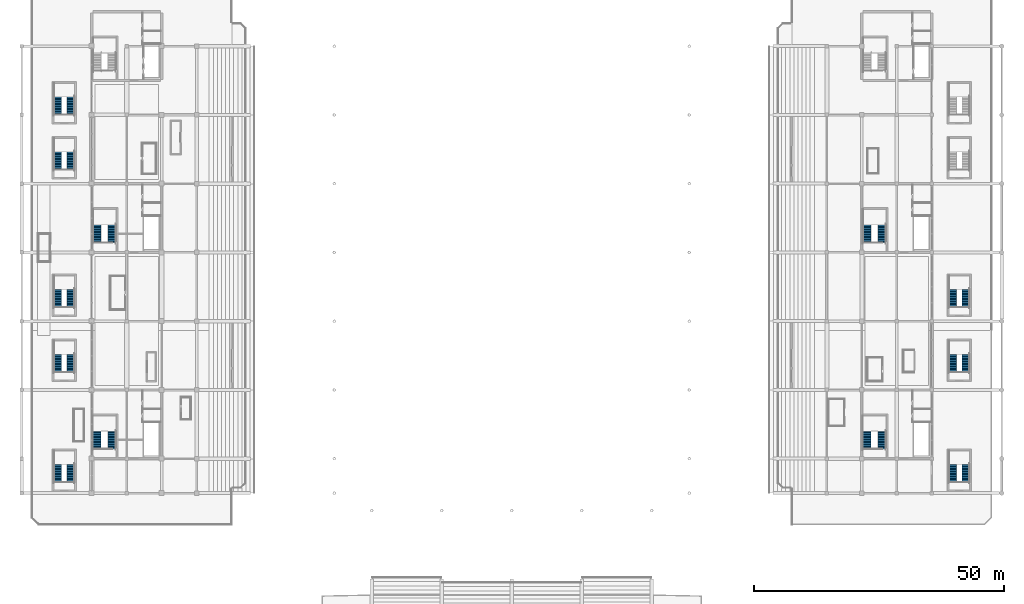
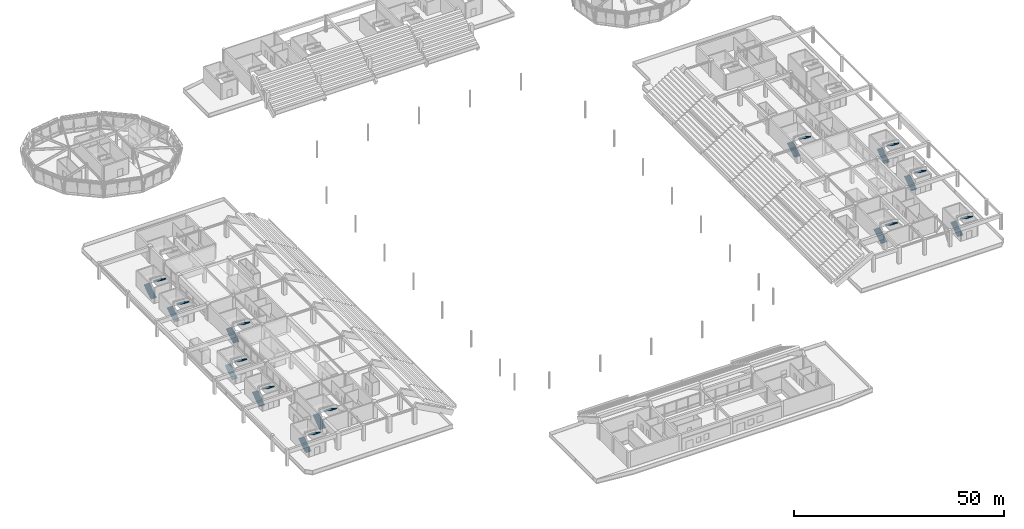
# One storey, part 78 of 94: 24 stair flights, 12 elements without a shape of their own.
"""IFC4 building model written with IfcOpenShell, lengths in metres."""

from ifc_helpers import new_model, si_unit, direction, frame, origin, place, context, subcontext, project, spatial, polyline, outline, extrude, material, type_object, element, aggregate, save


model = new_model("IFC4")

# Units and contexts
model_context = context("Model", 3, precision=1e-05, world=origin(), true_north=direction((0.0, 1.0)))
body_context = subcontext(model_context, "Body", "Model", "MODEL_VIEW")
ifc_project = project(units=[si_unit("LENGTHUNIT", "METRE"), si_unit("AREAUNIT", "SQUARE_METRE"), si_unit("VOLUMEUNIT", "CUBIC_METRE"), si_unit("PLANEANGLEUNIT", "RADIAN"), si_unit("MASSUNIT", "GRAM", prefix="KILO")], contexts=[model_context])

# Site, building, storey
site_placement = place(None, origin())
site = spatial("IfcSite", under=ifc_project, at=site_placement, CompositionType="ELEMENT")
building_placement = place(site_placement, origin())
building = spatial("IfcBuilding", under=site, at=building_placement, Name="Linyun Crest Stadium", CompositionType="ELEMENT")
storey_placement = place(building_placement, frame((0.0, 0.0, 16.199951171875)))
storey = spatial("IfcBuildingStorey", under=building, at=storey_placement, Name="L04", CompositionType="ELEMENT", Elevation=16.199951171875)

# Stair, stair flights
ifc_material_1 = material(Name="Concrete C40", Category="concrete")
stair_type = type_object("IfcStairType", Name="STA03", PredefinedType="HALF_TURN_STAIR", material=ifc_material_1)
stair_1_placement = place(storey_placement, origin())
stair_1 = element("IfcStair", 1, at=stair_1_placement, inside=storey, type_object=stair_type, Name="Evacuation stair STR-01-L04", PredefinedType="HALF_TURN_STAIR")
ifc_material_2 = material(Name="Concrete C40", Category="concrete")
stair_flight_type_1 = type_object("IfcStairFlightType", Name="STF01", PredefinedType="STRAIGHT", material=ifc_material_2)
stair_flight_1_placement = place(storey_placement, frame((-82.9599609375, -37.135009765625, 0.0), z_axis=(0.0, 0.0, 1.0), x_axis=(0.0, 1.0, 0.0)))
stair_flight_1 = element("IfcStairFlight", 2, at=stair_flight_1_placement, type_object=stair_flight_type_1, Name="STR-01-L04 flight 1", NumberOfRisers=15, NumberOfTreads=14, PredefinedType="STRAIGHT", RiserHeight=0.16, TreadLength=0.25, context=body_context, shape_type="SweptSolid", body=[
    extrude(outline(polyline([(0.0, 0.0), (0.0, 0.159912109375), (0.25, 0.159912109375), (0.25, 0.320068359375), (0.5, 0.320068359375), (0.5, 0.47998046875), (0.75, 0.47998046875), (0.75, 0.639892578125), (1.0, 0.639892578125), (1.0, 0.800048828125), (1.25, 0.800048828125), (1.25, 0.9599609375), (1.5, 0.9599609375), (1.5, 1.1201171875), (1.75, 1.1201171875), (1.75, 1.280029296875), (2.0, 1.280029296875), (2.0, 1.43994140625), (2.25, 1.43994140625), (2.25, 1.60009765625), (2.5, 1.60009765625), (2.5, 1.760009765625), (2.75, 1.760009765625), (2.75, 1.919921875), (3.0, 1.919921875), (3.0, 2.080078125), (3.25, 2.080078125), (3.25, 2.239990234375), (3.5, 2.239990234375), (3.5, 2.39990234375), (3.5, 2.0263671875), (0.333740234375, 0.0), (0.0, 0.0)])), frame((0.0, 0.824951171875, 0.0), z_axis=(0.0, -1.0, 0.0), x_axis=(1.0, 0.0, 0.0)), (0.0, 0.0, 1.0), 1.64990234375),
])
stair_flight_2_placement = place(storey_placement, frame((-79.965087890625, -33.635009765625, 2.400146484375), z_axis=(0.0, 0.0, 1.0), x_axis=(0.0, -1.0, 0.0)))
stair_flight_2 = element("IfcStairFlight", 3, at=stair_flight_2_placement, type_object=stair_flight_type_1, Name="STR-01-L04 flight 2", NumberOfRisers=15, NumberOfTreads=14, PredefinedType="STRAIGHT", RiserHeight=0.16, TreadLength=0.25, context=body_context, shape_type="SweptSolid", body=[
    extrude(outline(polyline([(0.0, 0.0), (0.0, 0.159912109375), (0.25, 0.159912109375), (0.25, 0.320068359375), (0.5, 0.320068359375), (0.5, 0.47998046875), (0.75, 0.47998046875), (0.75, 0.639892578125), (1.0, 0.639892578125), (1.0, 0.800048828125), (1.25, 0.800048828125), (1.25, 0.9599609375), (1.5, 0.9599609375), (1.5, 1.1201171875), (1.75, 1.1201171875), (1.75, 1.280029296875), (2.0, 1.280029296875), (2.0, 1.43994140625), (2.25, 1.43994140625), (2.25, 1.60009765625), (2.5, 1.60009765625), (2.5, 1.760009765625), (2.75, 1.760009765625), (2.75, 1.919921875), (3.0, 1.919921875), (3.0, 2.080078125), (3.25, 2.080078125), (3.25, 2.239990234375), (3.5, 2.239990234375), (3.5, 2.39990234375), (3.5, 2.0263671875), (0.333740234375, 0.0), (0.0, 0.0)])), frame((0.0, 0.824951171875, 0.0), z_axis=(0.0, -1.0, 0.0), x_axis=(1.0, 0.0, 0.0)), (0.0, 0.0, 1.0), 1.64990234375),
])
aggregate(stair_1, [stair_flight_1, stair_flight_2])

stair_2_placement = place(storey_placement, origin())
stair_2 = element("IfcStair", 4, at=stair_2_placement, inside=storey, type_object=stair_type, Name="Evacuation stair STR-02-L04", PredefinedType="HALF_TURN_STAIR")
stair_flight_3_placement = place(storey_placement, frame((-82.93505859375, 4.114990234375, 0.0), z_axis=(0.0, 0.0, 1.0), x_axis=(0.0, 1.0, 0.0)))
stair_flight_3 = element("IfcStairFlight", 5, at=stair_flight_3_placement, type_object=stair_flight_type_1, Name="STR-02-L04 flight 1", NumberOfRisers=15, NumberOfTreads=14, PredefinedType="STRAIGHT", RiserHeight=0.16, TreadLength=0.25, context=body_context, shape_type="SweptSolid", body=[
    extrude(outline(polyline([(0.0, 0.0), (0.0, 0.159912109375), (0.25, 0.159912109375), (0.25, 0.320068359375), (0.5, 0.320068359375), (0.5, 0.47998046875), (0.75, 0.47998046875), (0.75, 0.639892578125), (1.0, 0.639892578125), (1.0, 0.800048828125), (1.25, 0.800048828125), (1.25, 0.9599609375), (1.5, 0.9599609375), (1.5, 1.1201171875), (1.75, 1.1201171875), (1.75, 1.280029296875), (2.0, 1.280029296875), (2.0, 1.43994140625), (2.25, 1.43994140625), (2.25, 1.60009765625), (2.5, 1.60009765625), (2.5, 1.760009765625), (2.75, 1.760009765625), (2.75, 1.919921875), (3.0, 1.919921875), (3.0, 2.080078125), (3.25, 2.080078125), (3.25, 2.239990234375), (3.5, 2.239990234375), (3.5, 2.39990234375), (3.5, 2.0263671875), (0.333740234375, 0.0), (0.0, 0.0)])), frame((0.0, 0.824951171875, 0.0), z_axis=(0.0, -1.0, 0.0), x_axis=(1.0, 0.0, 0.0)), (0.0, 0.0, 1.0), 1.64990234375),
])
stair_flight_4_placement = place(storey_placement, frame((-79.965087890625, 7.614990234375, 2.400146484375), z_axis=(0.0, 0.0, 1.0), x_axis=(0.0, -1.0, 0.0)))
stair_flight_4 = element("IfcStairFlight", 6, at=stair_flight_4_placement, type_object=stair_flight_type_1, Name="STR-02-L04 flight 2", NumberOfRisers=15, NumberOfTreads=14, PredefinedType="STRAIGHT", RiserHeight=0.16, TreadLength=0.25, context=body_context, shape_type="SweptSolid", body=[
    extrude(outline(polyline([(0.0, 0.0), (0.0, 0.159912109375), (0.25, 0.159912109375), (0.25, 0.320068359375), (0.5, 0.320068359375), (0.5, 0.47998046875), (0.75, 0.47998046875), (0.75, 0.639892578125), (1.0, 0.639892578125), (1.0, 0.800048828125), (1.25, 0.800048828125), (1.25, 0.9599609375), (1.5, 0.9599609375), (1.5, 1.1201171875), (1.75, 1.1201171875), (1.75, 1.280029296875), (2.0, 1.280029296875), (2.0, 1.43994140625), (2.25, 1.43994140625), (2.25, 1.60009765625), (2.5, 1.60009765625), (2.5, 1.760009765625), (2.75, 1.760009765625), (2.75, 1.919921875), (3.0, 1.919921875), (3.0, 2.080078125), (3.25, 2.080078125), (3.25, 2.239990234375), (3.5, 2.239990234375), (3.5, 2.39990234375), (3.5, 2.0263671875), (0.333740234375, 0.0), (0.0, 0.0)])), frame((0.0, 0.824951171875, 0.0), z_axis=(0.0, -1.0, 0.0), x_axis=(1.0, 0.0, 0.0)), (0.0, 0.0, 1.0), 1.64990234375),
])
aggregate(stair_2, [stair_flight_3, stair_flight_4])

stair_3_placement = place(storey_placement, origin())
stair_3 = element("IfcStair", 7, at=stair_3_placement, inside=storey, type_object=stair_type, Name="Evacuation stair STR-04-L04", PredefinedType="HALF_TURN_STAIR")
stair_flight_5_placement = place(storey_placement, frame((71.0400390625, -37.135009765625, 0.0), z_axis=(0.0, 0.0, 1.0), x_axis=(0.0, 1.0, 0.0)))
stair_flight_5 = element("IfcStairFlight", 8, at=stair_flight_5_placement, type_object=stair_flight_type_1, Name="STR-04-L04 flight 1", NumberOfRisers=15, NumberOfTreads=14, PredefinedType="STRAIGHT", RiserHeight=0.16, TreadLength=0.25, context=body_context, shape_type="SweptSolid", body=[
    extrude(outline(polyline([(0.0, 0.0), (0.0, 0.159912109375), (0.25, 0.159912109375), (0.25, 0.320068359375), (0.5, 0.320068359375), (0.5, 0.47998046875), (0.75, 0.47998046875), (0.75, 0.639892578125), (1.0, 0.639892578125), (1.0, 0.800048828125), (1.25, 0.800048828125), (1.25, 0.9599609375), (1.5, 0.9599609375), (1.5, 1.1201171875), (1.75, 1.1201171875), (1.75, 1.280029296875), (2.0, 1.280029296875), (2.0, 1.43994140625), (2.25, 1.43994140625), (2.25, 1.60009765625), (2.5, 1.60009765625), (2.5, 1.760009765625), (2.75, 1.760009765625), (2.75, 1.919921875), (3.0, 1.919921875), (3.0, 2.080078125), (3.25, 2.080078125), (3.25, 2.239990234375), (3.5, 2.239990234375), (3.5, 2.39990234375), (3.5, 2.0263671875), (0.333740234375, 0.0), (0.0, 0.0)])), frame((0.0, 0.824951171875, 0.0), z_axis=(0.0, -1.0, 0.0), x_axis=(1.0, 0.0, 0.0)), (0.0, 0.0, 1.0), 1.64990234375),
])
stair_flight_6_placement = place(storey_placement, frame((74.034912109375, -33.635009765625, 2.400146484375), z_axis=(0.0, 0.0, 1.0), x_axis=(0.0, -1.0, 0.0)))
stair_flight_6 = element("IfcStairFlight", 9, at=stair_flight_6_placement, type_object=stair_flight_type_1, Name="STR-04-L04 flight 2", NumberOfRisers=15, NumberOfTreads=14, PredefinedType="STRAIGHT", RiserHeight=0.16, TreadLength=0.25, context=body_context, shape_type="SweptSolid", body=[
    extrude(outline(polyline([(0.0, 0.0), (0.0, 0.159912109375), (0.25, 0.159912109375), (0.25, 0.320068359375), (0.5, 0.320068359375), (0.5, 0.47998046875), (0.75, 0.47998046875), (0.75, 0.639892578125), (1.0, 0.639892578125), (1.0, 0.800048828125), (1.25, 0.800048828125), (1.25, 0.9599609375), (1.5, 0.9599609375), (1.5, 1.1201171875), (1.75, 1.1201171875), (1.75, 1.280029296875), (2.0, 1.280029296875), (2.0, 1.43994140625), (2.25, 1.43994140625), (2.25, 1.60009765625), (2.5, 1.60009765625), (2.5, 1.760009765625), (2.75, 1.760009765625), (2.75, 1.919921875), (3.0, 1.919921875), (3.0, 2.080078125), (3.25, 2.080078125), (3.25, 2.239990234375), (3.5, 2.239990234375), (3.5, 2.39990234375), (3.5, 2.0263671875), (0.333740234375, 0.0), (0.0, 0.0)])), frame((0.0, 0.824951171875, 0.0), z_axis=(0.0, -1.0, 0.0), x_axis=(1.0, 0.0, 0.0)), (0.0, 0.0, 1.0), 1.64990234375),
])
aggregate(stair_3, [stair_flight_5, stair_flight_6])

stair_4_placement = place(storey_placement, origin())
stair_4 = element("IfcStair", 10, at=stair_4_placement, inside=storey, type_object=stair_type, Name="Evacuation stair STR-05-L04", PredefinedType="HALF_TURN_STAIR")
stair_flight_7_placement = place(storey_placement, frame((71.06494140625, 4.114990234375, 0.0), z_axis=(0.0, 0.0, 1.0), x_axis=(0.0, 1.0, 0.0)))
stair_flight_7 = element("IfcStairFlight", 11, at=stair_flight_7_placement, type_object=stair_flight_type_1, Name="STR-05-L04 flight 1", NumberOfRisers=15, NumberOfTreads=14, PredefinedType="STRAIGHT", RiserHeight=0.16, TreadLength=0.25, context=body_context, shape_type="SweptSolid", body=[
    extrude(outline(polyline([(0.0, 0.0), (0.0, 0.159912109375), (0.25, 0.159912109375), (0.25, 0.320068359375), (0.5, 0.320068359375), (0.5, 0.47998046875), (0.75, 0.47998046875), (0.75, 0.639892578125), (1.0, 0.639892578125), (1.0, 0.800048828125), (1.25, 0.800048828125), (1.25, 0.9599609375), (1.5, 0.9599609375), (1.5, 1.1201171875), (1.75, 1.1201171875), (1.75, 1.280029296875), (2.0, 1.280029296875), (2.0, 1.43994140625), (2.25, 1.43994140625), (2.25, 1.60009765625), (2.5, 1.60009765625), (2.5, 1.760009765625), (2.75, 1.760009765625), (2.75, 1.919921875), (3.0, 1.919921875), (3.0, 2.080078125), (3.25, 2.080078125), (3.25, 2.239990234375), (3.5, 2.239990234375), (3.5, 2.39990234375), (3.5, 2.0263671875), (0.333740234375, 0.0), (0.0, 0.0)])), frame((0.0, 0.824951171875, 0.0), z_axis=(0.0, -1.0, 0.0), x_axis=(1.0, 0.0, 0.0)), (0.0, 0.0, 1.0), 1.64990234375),
])
stair_flight_8_placement = place(storey_placement, frame((74.034912109375, 7.614990234375, 2.400146484375), z_axis=(0.0, 0.0, 1.0), x_axis=(0.0, -1.0, 0.0)))
stair_flight_8 = element("IfcStairFlight", 12, at=stair_flight_8_placement, type_object=stair_flight_type_1, Name="STR-05-L04 flight 2", NumberOfRisers=15, NumberOfTreads=14, PredefinedType="STRAIGHT", RiserHeight=0.16, TreadLength=0.25, context=body_context, shape_type="SweptSolid", body=[
    extrude(outline(polyline([(0.0, 0.0), (0.0, 0.159912109375), (0.25, 0.159912109375), (0.25, 0.320068359375), (0.5, 0.320068359375), (0.5, 0.47998046875), (0.75, 0.47998046875), (0.75, 0.639892578125), (1.0, 0.639892578125), (1.0, 0.800048828125), (1.25, 0.800048828125), (1.25, 0.9599609375), (1.5, 0.9599609375), (1.5, 1.1201171875), (1.75, 1.1201171875), (1.75, 1.280029296875), (2.0, 1.280029296875), (2.0, 1.43994140625), (2.25, 1.43994140625), (2.25, 1.60009765625), (2.5, 1.60009765625), (2.5, 1.760009765625), (2.75, 1.760009765625), (2.75, 1.919921875), (3.0, 1.919921875), (3.0, 2.080078125), (3.25, 2.080078125), (3.25, 2.239990234375), (3.5, 2.239990234375), (3.5, 2.39990234375), (3.5, 2.0263671875), (0.333740234375, 0.0), (0.0, 0.0)])), frame((0.0, 0.824951171875, 0.0), z_axis=(0.0, -1.0, 0.0), x_axis=(1.0, 0.0, 0.0)), (0.0, 0.0, 1.0), 1.64990234375),
])
aggregate(stair_4, [stair_flight_7, stair_flight_8])

stair_5_placement = place(storey_placement, origin())
stair_5 = element("IfcStair", 13, at=stair_5_placement, inside=storey, type_object=stair_type, Name="Vomitory evacuation stair STR-13-L04", PredefinedType="HALF_TURN_STAIR")
ifc_material_3 = material(Name="Concrete C40", Category="concrete")
stair_flight_type_2 = type_object("IfcStairFlightType", Name="STF02", PredefinedType="STRAIGHT", material=ifc_material_3)
stair_flight_9_placement = place(storey_placement, frame((-90.784912109375, -43.780029296875, 0.0), z_axis=(0.0, 0.0, 1.0), x_axis=(0.0, 1.0, 0.0)))
stair_flight_9 = element("IfcStairFlight", 14, at=stair_flight_9_placement, type_object=stair_flight_type_2, Name="STR-13-L04 flight 1", NumberOfRisers=15, NumberOfTreads=14, PredefinedType="STRAIGHT", RiserHeight=0.16, TreadLength=0.25, context=body_context, shape_type="SweptSolid", body=[
    extrude(outline(polyline([(0.0, 0.0), (0.0, 0.159912109375), (0.25, 0.159912109375), (0.25, 0.320068359375), (0.5, 0.320068359375), (0.5, 0.47998046875), (0.75, 0.47998046875), (0.75, 0.639892578125), (1.0, 0.639892578125), (1.0, 0.800048828125), (1.25, 0.800048828125), (1.25, 0.9599609375), (1.5, 0.9599609375), (1.5, 1.1201171875), (1.75, 1.1201171875), (1.75, 1.280029296875), (2.0, 1.280029296875), (2.0, 1.43994140625), (2.25, 1.43994140625), (2.25, 1.60009765625), (2.5, 1.60009765625), (2.5, 1.760009765625), (2.75, 1.760009765625), (2.75, 1.919921875), (3.0, 1.919921875), (3.0, 2.080078125), (3.25, 2.080078125), (3.25, 2.239990234375), (3.5, 2.239990234375), (3.5, 2.39990234375), (3.5, 2.0263671875), (0.333740234375, 0.0), (0.0, 0.0)])), frame((0.0, 0.77490234375, 0.0), z_axis=(0.0, -1.0, 0.0), x_axis=(1.0, 0.0, 0.0)), (0.0, 0.0, 1.0), 1.550048828125),
])
stair_flight_10_placement = place(storey_placement, frame((-88.215087890625, -40.280029296875, 2.400146484375), z_axis=(0.0, 0.0, 1.0), x_axis=(0.0, -1.0, 0.0)))
stair_flight_10 = element("IfcStairFlight", 15, at=stair_flight_10_placement, type_object=stair_flight_type_2, Name="STR-13-L04 flight 2", NumberOfRisers=15, NumberOfTreads=14, PredefinedType="STRAIGHT", RiserHeight=0.16, TreadLength=0.25, context=body_context, shape_type="SweptSolid", body=[
    extrude(outline(polyline([(0.0, 0.0), (0.0, 0.159912109375), (0.25, 0.159912109375), (0.25, 0.320068359375), (0.5, 0.320068359375), (0.5, 0.47998046875), (0.75, 0.47998046875), (0.75, 0.639892578125), (1.0, 0.639892578125), (1.0, 0.800048828125), (1.25, 0.800048828125), (1.25, 0.9599609375), (1.5, 0.9599609375), (1.5, 1.1201171875), (1.75, 1.1201171875), (1.75, 1.280029296875), (2.0, 1.280029296875), (2.0, 1.43994140625), (2.25, 1.43994140625), (2.25, 1.60009765625), (2.5, 1.60009765625), (2.5, 1.760009765625), (2.75, 1.760009765625), (2.75, 1.919921875), (3.0, 1.919921875), (3.0, 2.080078125), (3.25, 2.080078125), (3.25, 2.239990234375), (3.5, 2.239990234375), (3.5, 2.39990234375), (3.5, 2.0263671875), (0.333740234375, 0.0), (0.0, 0.0)])), frame((0.0, 0.77490234375, 0.0), z_axis=(0.0, -1.0, 0.0), x_axis=(1.0, 0.0, 0.0)), (0.0, 0.0, 1.0), 1.550048828125),
])
aggregate(stair_5, [stair_flight_9, stair_flight_10])

stair_6_placement = place(storey_placement, origin())
stair_6 = element("IfcStair", 16, at=stair_6_placement, inside=storey, type_object=stair_type, Name="Vomitory evacuation stair STR-14-L04", PredefinedType="HALF_TURN_STAIR")
stair_flight_11_placement = place(storey_placement, frame((-90.784912109375, -21.780029296875, 0.0), z_axis=(0.0, 0.0, 1.0), x_axis=(0.0, 1.0, 0.0)))
stair_flight_11 = element("IfcStairFlight", 17, at=stair_flight_11_placement, type_object=stair_flight_type_2, Name="STR-14-L04 flight 1", NumberOfRisers=15, NumberOfTreads=14, PredefinedType="STRAIGHT", RiserHeight=0.16, TreadLength=0.25, context=body_context, shape_type="SweptSolid", body=[
    extrude(outline(polyline([(0.0, 0.0), (0.0, 0.159912109375), (0.25, 0.159912109375), (0.25, 0.320068359375), (0.5, 0.320068359375), (0.5, 0.47998046875), (0.75, 0.47998046875), (0.75, 0.639892578125), (1.0, 0.639892578125), (1.0, 0.800048828125), (1.25, 0.800048828125), (1.25, 0.9599609375), (1.5, 0.9599609375), (1.5, 1.1201171875), (1.75, 1.1201171875), (1.75, 1.280029296875), (2.0, 1.280029296875), (2.0, 1.43994140625), (2.25, 1.43994140625), (2.25, 1.60009765625), (2.5, 1.60009765625), (2.5, 1.760009765625), (2.75, 1.760009765625), (2.75, 1.919921875), (3.0, 1.919921875), (3.0, 2.080078125), (3.25, 2.080078125), (3.25, 2.239990234375), (3.5, 2.239990234375), (3.5, 2.39990234375), (3.5, 2.0263671875), (0.333740234375, 0.0), (0.0, 0.0)])), frame((0.0, 0.77490234375, 0.0), z_axis=(0.0, -1.0, 0.0), x_axis=(1.0, 0.0, 0.0)), (0.0, 0.0, 1.0), 1.550048828125),
])
stair_flight_12_placement = place(storey_placement, frame((-88.215087890625, -18.280029296875, 2.400146484375), z_axis=(0.0, 0.0, 1.0), x_axis=(0.0, -1.0, 0.0)))
stair_flight_12 = element("IfcStairFlight", 18, at=stair_flight_12_placement, type_object=stair_flight_type_2, Name="STR-14-L04 flight 2", NumberOfRisers=15, NumberOfTreads=14, PredefinedType="STRAIGHT", RiserHeight=0.16, TreadLength=0.25, context=body_context, shape_type="SweptSolid", body=[
    extrude(outline(polyline([(0.0, 0.0), (0.0, 0.159912109375), (0.25, 0.159912109375), (0.25, 0.320068359375), (0.5, 0.320068359375), (0.5, 0.47998046875), (0.75, 0.47998046875), (0.75, 0.639892578125), (1.0, 0.639892578125), (1.0, 0.800048828125), (1.25, 0.800048828125), (1.25, 0.9599609375), (1.5, 0.9599609375), (1.5, 1.1201171875), (1.75, 1.1201171875), (1.75, 1.280029296875), (2.0, 1.280029296875), (2.0, 1.43994140625), (2.25, 1.43994140625), (2.25, 1.60009765625), (2.5, 1.60009765625), (2.5, 1.760009765625), (2.75, 1.760009765625), (2.75, 1.919921875), (3.0, 1.919921875), (3.0, 2.080078125), (3.25, 2.080078125), (3.25, 2.239990234375), (3.5, 2.239990234375), (3.5, 2.39990234375), (3.5, 2.0263671875), (0.333740234375, 0.0), (0.0, 0.0)])), frame((0.0, 0.77490234375, 0.0), z_axis=(0.0, -1.0, 0.0), x_axis=(1.0, 0.0, 0.0)), (0.0, 0.0, 1.0), 1.550048828125),
])
aggregate(stair_6, [stair_flight_11, stair_flight_12])

stair_7_placement = place(storey_placement, origin())
stair_7 = element("IfcStair", 19, at=stair_7_placement, inside=storey, type_object=stair_type, Name="Vomitory evacuation stair STR-15-L04", PredefinedType="HALF_TURN_STAIR")
stair_flight_13_placement = place(storey_placement, frame((-90.784912109375, -8.780029296875, 0.0), z_axis=(0.0, 0.0, 1.0), x_axis=(0.0, 1.0, 0.0)))
stair_flight_13 = element("IfcStairFlight", 20, at=stair_flight_13_placement, type_object=stair_flight_type_2, Name="STR-15-L04 flight 1", NumberOfRisers=15, NumberOfTreads=14, PredefinedType="STRAIGHT", RiserHeight=0.16, TreadLength=0.25, context=body_context, shape_type="SweptSolid", body=[
    extrude(outline(polyline([(0.0, 0.0), (0.0, 0.159912109375), (0.25, 0.159912109375), (0.25, 0.320068359375), (0.5, 0.320068359375), (0.5, 0.47998046875), (0.75, 0.47998046875), (0.75, 0.639892578125), (1.0, 0.639892578125), (1.0, 0.800048828125), (1.25, 0.800048828125), (1.25, 0.9599609375), (1.5, 0.9599609375), (1.5, 1.1201171875), (1.75, 1.1201171875), (1.75, 1.280029296875), (2.0, 1.280029296875), (2.0, 1.43994140625), (2.25, 1.43994140625), (2.25, 1.60009765625), (2.5, 1.60009765625), (2.5, 1.760009765625), (2.75, 1.760009765625), (2.75, 1.919921875), (3.0, 1.919921875), (3.0, 2.080078125), (3.25, 2.080078125), (3.25, 2.239990234375), (3.5, 2.239990234375), (3.5, 2.39990234375), (3.5, 2.0263671875), (0.333740234375, 0.0), (0.0, 0.0)])), frame((0.0, 0.77490234375, 0.0), z_axis=(0.0, -1.0, 0.0), x_axis=(1.0, 0.0, 0.0)), (0.0, 0.0, 1.0), 1.550048828125),
])
stair_flight_14_placement = place(storey_placement, frame((-88.215087890625, -5.280029296875, 2.400146484375), z_axis=(0.0, 0.0, 1.0), x_axis=(0.0, -1.0, 0.0)))
stair_flight_14 = element("IfcStairFlight", 21, at=stair_flight_14_placement, type_object=stair_flight_type_2, Name="STR-15-L04 flight 2", NumberOfRisers=15, NumberOfTreads=14, PredefinedType="STRAIGHT", RiserHeight=0.16, TreadLength=0.25, context=body_context, shape_type="SweptSolid", body=[
    extrude(outline(polyline([(0.0, 0.0), (0.0, 0.159912109375), (0.25, 0.159912109375), (0.25, 0.320068359375), (0.5, 0.320068359375), (0.5, 0.47998046875), (0.75, 0.47998046875), (0.75, 0.639892578125), (1.0, 0.639892578125), (1.0, 0.800048828125), (1.25, 0.800048828125), (1.25, 0.9599609375), (1.5, 0.9599609375), (1.5, 1.1201171875), (1.75, 1.1201171875), (1.75, 1.280029296875), (2.0, 1.280029296875), (2.0, 1.43994140625), (2.25, 1.43994140625), (2.25, 1.60009765625), (2.5, 1.60009765625), (2.5, 1.760009765625), (2.75, 1.760009765625), (2.75, 1.919921875), (3.0, 1.919921875), (3.0, 2.080078125), (3.25, 2.080078125), (3.25, 2.239990234375), (3.5, 2.239990234375), (3.5, 2.39990234375), (3.5, 2.0263671875), (0.333740234375, 0.0), (0.0, 0.0)])), frame((0.0, 0.77490234375, 0.0), z_axis=(0.0, -1.0, 0.0), x_axis=(1.0, 0.0, 0.0)), (0.0, 0.0, 1.0), 1.550048828125),
])
aggregate(stair_7, [stair_flight_13, stair_flight_14])

stair_8_placement = place(storey_placement, origin())
stair_8 = element("IfcStair", 22, at=stair_8_placement, inside=storey, type_object=stair_type, Name="Vomitory evacuation stair STR-16-L04", PredefinedType="HALF_TURN_STAIR")
stair_flight_15_placement = place(storey_placement, frame((-90.784912109375, 18.719970703125, 0.0), z_axis=(0.0, 0.0, 1.0), x_axis=(0.0, 1.0, 0.0)))
stair_flight_15 = element("IfcStairFlight", 23, at=stair_flight_15_placement, type_object=stair_flight_type_2, Name="STR-16-L04 flight 1", NumberOfRisers=15, NumberOfTreads=14, PredefinedType="STRAIGHT", RiserHeight=0.16, TreadLength=0.25, context=body_context, shape_type="SweptSolid", body=[
    extrude(outline(polyline([(0.0, 0.0), (0.0, 0.159912109375), (0.25, 0.159912109375), (0.25, 0.320068359375), (0.5, 0.320068359375), (0.5, 0.47998046875), (0.75, 0.47998046875), (0.75, 0.639892578125), (1.0, 0.639892578125), (1.0, 0.800048828125), (1.25, 0.800048828125), (1.25, 0.9599609375), (1.5, 0.9599609375), (1.5, 1.1201171875), (1.75, 1.1201171875), (1.75, 1.280029296875), (2.0, 1.280029296875), (2.0, 1.43994140625), (2.25, 1.43994140625), (2.25, 1.60009765625), (2.5, 1.60009765625), (2.5, 1.760009765625), (2.75, 1.760009765625), (2.75, 1.919921875), (3.0, 1.919921875), (3.0, 2.080078125), (3.25, 2.080078125), (3.25, 2.239990234375), (3.5, 2.239990234375), (3.5, 2.39990234375), (3.5, 2.0263671875), (0.333740234375, 0.0), (0.0, 0.0)])), frame((0.0, 0.77490234375, 0.0), z_axis=(0.0, -1.0, 0.0), x_axis=(1.0, 0.0, 0.0)), (0.0, 0.0, 1.0), 1.550048828125),
])
stair_flight_16_placement = place(storey_placement, frame((-88.215087890625, 22.219970703125, 2.400146484375), z_axis=(0.0, 0.0, 1.0), x_axis=(0.0, -1.0, 0.0)))
stair_flight_16 = element("IfcStairFlight", 24, at=stair_flight_16_placement, type_object=stair_flight_type_2, Name="STR-16-L04 flight 2", NumberOfRisers=15, NumberOfTreads=14, PredefinedType="STRAIGHT", RiserHeight=0.16, TreadLength=0.25, context=body_context, shape_type="SweptSolid", body=[
    extrude(outline(polyline([(0.0, 0.0), (0.0, 0.159912109375), (0.25, 0.159912109375), (0.25, 0.320068359375), (0.5, 0.320068359375), (0.5, 0.47998046875), (0.75, 0.47998046875), (0.75, 0.639892578125), (1.0, 0.639892578125), (1.0, 0.800048828125), (1.25, 0.800048828125), (1.25, 0.9599609375), (1.5, 0.9599609375), (1.5, 1.1201171875), (1.75, 1.1201171875), (1.75, 1.280029296875), (2.0, 1.280029296875), (2.0, 1.43994140625), (2.25, 1.43994140625), (2.25, 1.60009765625), (2.5, 1.60009765625), (2.5, 1.760009765625), (2.75, 1.760009765625), (2.75, 1.919921875), (3.0, 1.919921875), (3.0, 2.080078125), (3.25, 2.080078125), (3.25, 2.239990234375), (3.5, 2.239990234375), (3.5, 2.39990234375), (3.5, 2.0263671875), (0.333740234375, 0.0), (0.0, 0.0)])), frame((0.0, 0.77490234375, 0.0), z_axis=(0.0, -1.0, 0.0), x_axis=(1.0, 0.0, 0.0)), (0.0, 0.0, 1.0), 1.550048828125),
])
aggregate(stair_8, [stair_flight_15, stair_flight_16])

stair_9_placement = place(storey_placement, origin())
stair_9 = element("IfcStair", 25, at=stair_9_placement, inside=storey, type_object=stair_type, Name="Vomitory evacuation stair STR-17-L04", PredefinedType="HALF_TURN_STAIR")
stair_flight_17_placement = place(storey_placement, frame((-90.784912109375, 29.719970703125, 0.0), z_axis=(0.0, 0.0, 1.0), x_axis=(0.0, 1.0, 0.0)))
stair_flight_17 = element("IfcStairFlight", 26, at=stair_flight_17_placement, type_object=stair_flight_type_2, Name="STR-17-L04 flight 1", NumberOfRisers=15, NumberOfTreads=14, PredefinedType="STRAIGHT", RiserHeight=0.16, TreadLength=0.25, context=body_context, shape_type="SweptSolid", body=[
    extrude(outline(polyline([(0.0, 0.0), (0.0, 0.159912109375), (0.25, 0.159912109375), (0.25, 0.320068359375), (0.5, 0.320068359375), (0.5, 0.47998046875), (0.75, 0.47998046875), (0.75, 0.639892578125), (1.0, 0.639892578125), (1.0, 0.800048828125), (1.25, 0.800048828125), (1.25, 0.9599609375), (1.5, 0.9599609375), (1.5, 1.1201171875), (1.75, 1.1201171875), (1.75, 1.280029296875), (2.0, 1.280029296875), (2.0, 1.43994140625), (2.25, 1.43994140625), (2.25, 1.60009765625), (2.5, 1.60009765625), (2.5, 1.760009765625), (2.75, 1.760009765625), (2.75, 1.919921875), (3.0, 1.919921875), (3.0, 2.080078125), (3.25, 2.080078125), (3.25, 2.239990234375), (3.5, 2.239990234375), (3.5, 2.39990234375), (3.5, 2.0263671875), (0.333740234375, 0.0), (0.0, 0.0)])), frame((0.0, 0.77490234375, 0.0), z_axis=(0.0, -1.0, 0.0), x_axis=(1.0, 0.0, 0.0)), (0.0, 0.0, 1.0), 1.550048828125),
])
stair_flight_18_placement = place(storey_placement, frame((-88.215087890625, 33.219970703125, 2.400146484375), z_axis=(0.0, 0.0, 1.0), x_axis=(0.0, -1.0, 0.0)))
stair_flight_18 = element("IfcStairFlight", 27, at=stair_flight_18_placement, type_object=stair_flight_type_2, Name="STR-17-L04 flight 2", NumberOfRisers=15, NumberOfTreads=14, PredefinedType="STRAIGHT", RiserHeight=0.16, TreadLength=0.25, context=body_context, shape_type="SweptSolid", body=[
    extrude(outline(polyline([(0.0, 0.0), (0.0, 0.159912109375), (0.25, 0.159912109375), (0.25, 0.320068359375), (0.5, 0.320068359375), (0.5, 0.47998046875), (0.75, 0.47998046875), (0.75, 0.639892578125), (1.0, 0.639892578125), (1.0, 0.800048828125), (1.25, 0.800048828125), (1.25, 0.9599609375), (1.5, 0.9599609375), (1.5, 1.1201171875), (1.75, 1.1201171875), (1.75, 1.280029296875), (2.0, 1.280029296875), (2.0, 1.43994140625), (2.25, 1.43994140625), (2.25, 1.60009765625), (2.5, 1.60009765625), (2.5, 1.760009765625), (2.75, 1.760009765625), (2.75, 1.919921875), (3.0, 1.919921875), (3.0, 2.080078125), (3.25, 2.080078125), (3.25, 2.239990234375), (3.5, 2.239990234375), (3.5, 2.39990234375), (3.5, 2.0263671875), (0.333740234375, 0.0), (0.0, 0.0)])), frame((0.0, 0.77490234375, 0.0), z_axis=(0.0, -1.0, 0.0), x_axis=(1.0, 0.0, 0.0)), (0.0, 0.0, 1.0), 1.550048828125),
])
aggregate(stair_9, [stair_flight_17, stair_flight_18])

stair_10_placement = place(storey_placement, origin())
stair_10 = element("IfcStair", 28, at=stair_10_placement, inside=storey, type_object=stair_type, Name="Vomitory evacuation stair STR-18-L04", PredefinedType="HALF_TURN_STAIR")
stair_flight_19_placement = place(storey_placement, frame((88.215087890625, -43.780029296875, 0.0), z_axis=(0.0, 0.0, 1.0), x_axis=(0.0, 1.0, 0.0)))
stair_flight_19 = element("IfcStairFlight", 29, at=stair_flight_19_placement, type_object=stair_flight_type_2, Name="STR-18-L04 flight 1", NumberOfRisers=15, NumberOfTreads=14, PredefinedType="STRAIGHT", RiserHeight=0.16, TreadLength=0.25, context=body_context, shape_type="SweptSolid", body=[
    extrude(outline(polyline([(0.0, 0.0), (0.0, 0.159912109375), (0.25, 0.159912109375), (0.25, 0.320068359375), (0.5, 0.320068359375), (0.5, 0.47998046875), (0.75, 0.47998046875), (0.75, 0.639892578125), (1.0, 0.639892578125), (1.0, 0.800048828125), (1.25, 0.800048828125), (1.25, 0.9599609375), (1.5, 0.9599609375), (1.5, 1.1201171875), (1.75, 1.1201171875), (1.75, 1.280029296875), (2.0, 1.280029296875), (2.0, 1.43994140625), (2.25, 1.43994140625), (2.25, 1.60009765625), (2.5, 1.60009765625), (2.5, 1.760009765625), (2.75, 1.760009765625), (2.75, 1.919921875), (3.0, 1.919921875), (3.0, 2.080078125), (3.25, 2.080078125), (3.25, 2.239990234375), (3.5, 2.239990234375), (3.5, 2.39990234375), (3.5, 2.0263671875), (0.333740234375, 0.0), (0.0, 0.0)])), frame((0.0, 0.77490234375, 0.0), z_axis=(0.0, -1.0, 0.0), x_axis=(1.0, 0.0, 0.0)), (0.0, 0.0, 1.0), 1.550048828125),
])
stair_flight_20_placement = place(storey_placement, frame((90.784912109375, -40.280029296875, 2.400146484375), z_axis=(0.0, 0.0, 1.0), x_axis=(0.0, -1.0, 0.0)))
stair_flight_20 = element("IfcStairFlight", 30, at=stair_flight_20_placement, type_object=stair_flight_type_2, Name="STR-18-L04 flight 2", NumberOfRisers=15, NumberOfTreads=14, PredefinedType="STRAIGHT", RiserHeight=0.16, TreadLength=0.25, context=body_context, shape_type="SweptSolid", body=[
    extrude(outline(polyline([(0.0, 0.0), (0.0, 0.159912109375), (0.25, 0.159912109375), (0.25, 0.320068359375), (0.5, 0.320068359375), (0.5, 0.47998046875), (0.75, 0.47998046875), (0.75, 0.639892578125), (1.0, 0.639892578125), (1.0, 0.800048828125), (1.25, 0.800048828125), (1.25, 0.9599609375), (1.5, 0.9599609375), (1.5, 1.1201171875), (1.75, 1.1201171875), (1.75, 1.280029296875), (2.0, 1.280029296875), (2.0, 1.43994140625), (2.25, 1.43994140625), (2.25, 1.60009765625), (2.5, 1.60009765625), (2.5, 1.760009765625), (2.75, 1.760009765625), (2.75, 1.919921875), (3.0, 1.919921875), (3.0, 2.080078125), (3.25, 2.080078125), (3.25, 2.239990234375), (3.5, 2.239990234375), (3.5, 2.39990234375), (3.5, 2.0263671875), (0.333740234375, 0.0), (0.0, 0.0)])), frame((0.0, 0.77490234375, 0.0), z_axis=(0.0, -1.0, 0.0), x_axis=(1.0, 0.0, 0.0)), (0.0, 0.0, 1.0), 1.550048828125),
])
aggregate(stair_10, [stair_flight_19, stair_flight_20])

stair_11_placement = place(storey_placement, origin())
stair_11 = element("IfcStair", 31, at=stair_11_placement, inside=storey, type_object=stair_type, Name="Vomitory evacuation stair STR-19-L04", PredefinedType="HALF_TURN_STAIR")
stair_flight_21_placement = place(storey_placement, frame((88.215087890625, -21.780029296875, 0.0), z_axis=(0.0, 0.0, 1.0), x_axis=(0.0, 1.0, 0.0)))
stair_flight_21 = element("IfcStairFlight", 32, at=stair_flight_21_placement, type_object=stair_flight_type_2, Name="STR-19-L04 flight 1", NumberOfRisers=15, NumberOfTreads=14, PredefinedType="STRAIGHT", RiserHeight=0.16, TreadLength=0.25, context=body_context, shape_type="SweptSolid", body=[
    extrude(outline(polyline([(0.0, 0.0), (0.0, 0.159912109375), (0.25, 0.159912109375), (0.25, 0.320068359375), (0.5, 0.320068359375), (0.5, 0.47998046875), (0.75, 0.47998046875), (0.75, 0.639892578125), (1.0, 0.639892578125), (1.0, 0.800048828125), (1.25, 0.800048828125), (1.25, 0.9599609375), (1.5, 0.9599609375), (1.5, 1.1201171875), (1.75, 1.1201171875), (1.75, 1.280029296875), (2.0, 1.280029296875), (2.0, 1.43994140625), (2.25, 1.43994140625), (2.25, 1.60009765625), (2.5, 1.60009765625), (2.5, 1.760009765625), (2.75, 1.760009765625), (2.75, 1.919921875), (3.0, 1.919921875), (3.0, 2.080078125), (3.25, 2.080078125), (3.25, 2.239990234375), (3.5, 2.239990234375), (3.5, 2.39990234375), (3.5, 2.0263671875), (0.333740234375, 0.0), (0.0, 0.0)])), frame((0.0, 0.77490234375, 0.0), z_axis=(0.0, -1.0, 0.0), x_axis=(1.0, 0.0, 0.0)), (0.0, 0.0, 1.0), 1.550048828125),
])
stair_flight_22_placement = place(storey_placement, frame((90.784912109375, -18.280029296875, 2.400146484375), z_axis=(0.0, 0.0, 1.0), x_axis=(0.0, -1.0, 0.0)))
stair_flight_22 = element("IfcStairFlight", 33, at=stair_flight_22_placement, type_object=stair_flight_type_2, Name="STR-19-L04 flight 2", NumberOfRisers=15, NumberOfTreads=14, PredefinedType="STRAIGHT", RiserHeight=0.16, TreadLength=0.25, context=body_context, shape_type="SweptSolid", body=[
    extrude(outline(polyline([(0.0, 0.0), (0.0, 0.159912109375), (0.25, 0.159912109375), (0.25, 0.320068359375), (0.5, 0.320068359375), (0.5, 0.47998046875), (0.75, 0.47998046875), (0.75, 0.639892578125), (1.0, 0.639892578125), (1.0, 0.800048828125), (1.25, 0.800048828125), (1.25, 0.9599609375), (1.5, 0.9599609375), (1.5, 1.1201171875), (1.75, 1.1201171875), (1.75, 1.280029296875), (2.0, 1.280029296875), (2.0, 1.43994140625), (2.25, 1.43994140625), (2.25, 1.60009765625), (2.5, 1.60009765625), (2.5, 1.760009765625), (2.75, 1.760009765625), (2.75, 1.919921875), (3.0, 1.919921875), (3.0, 2.080078125), (3.25, 2.080078125), (3.25, 2.239990234375), (3.5, 2.239990234375), (3.5, 2.39990234375), (3.5, 2.0263671875), (0.333740234375, 0.0), (0.0, 0.0)])), frame((0.0, 0.77490234375, 0.0), z_axis=(0.0, -1.0, 0.0), x_axis=(1.0, 0.0, 0.0)), (0.0, 0.0, 1.0), 1.550048828125),
])
aggregate(stair_11, [stair_flight_21, stair_flight_22])

stair_12_placement = place(storey_placement, origin())
stair_12 = element("IfcStair", 34, at=stair_12_placement, inside=storey, type_object=stair_type, Name="Vomitory evacuation stair STR-20-L04", PredefinedType="HALF_TURN_STAIR")
stair_flight_23_placement = place(storey_placement, frame((88.215087890625, -8.780029296875, 0.0), z_axis=(0.0, 0.0, 1.0), x_axis=(0.0, 1.0, 0.0)))
stair_flight_23 = element("IfcStairFlight", 35, at=stair_flight_23_placement, type_object=stair_flight_type_2, Name="STR-20-L04 flight 1", NumberOfRisers=15, NumberOfTreads=14, PredefinedType="STRAIGHT", RiserHeight=0.16, TreadLength=0.25, context=body_context, shape_type="SweptSolid", body=[
    extrude(outline(polyline([(0.0, 0.0), (0.0, 0.159912109375), (0.25, 0.159912109375), (0.25, 0.320068359375), (0.5, 0.320068359375), (0.5, 0.47998046875), (0.75, 0.47998046875), (0.75, 0.639892578125), (1.0, 0.639892578125), (1.0, 0.800048828125), (1.25, 0.800048828125), (1.25, 0.9599609375), (1.5, 0.9599609375), (1.5, 1.1201171875), (1.75, 1.1201171875), (1.75, 1.280029296875), (2.0, 1.280029296875), (2.0, 1.43994140625), (2.25, 1.43994140625), (2.25, 1.60009765625), (2.5, 1.60009765625), (2.5, 1.760009765625), (2.75, 1.760009765625), (2.75, 1.919921875), (3.0, 1.919921875), (3.0, 2.080078125), (3.25, 2.080078125), (3.25, 2.239990234375), (3.5, 2.239990234375), (3.5, 2.39990234375), (3.5, 2.0263671875), (0.333740234375, 0.0), (0.0, 0.0)])), frame((0.0, 0.77490234375, 0.0), z_axis=(0.0, -1.0, 0.0), x_axis=(1.0, 0.0, 0.0)), (0.0, 0.0, 1.0), 1.550048828125),
])
stair_flight_24_placement = place(storey_placement, frame((90.784912109375, -5.280029296875, 2.400146484375), z_axis=(0.0, 0.0, 1.0), x_axis=(0.0, -1.0, 0.0)))
stair_flight_24 = element("IfcStairFlight", 36, at=stair_flight_24_placement, type_object=stair_flight_type_2, Name="STR-20-L04 flight 2", NumberOfRisers=15, NumberOfTreads=14, PredefinedType="STRAIGHT", RiserHeight=0.16, TreadLength=0.25, context=body_context, shape_type="SweptSolid", body=[
    extrude(outline(polyline([(0.0, 0.0), (0.0, 0.159912109375), (0.25, 0.159912109375), (0.25, 0.320068359375), (0.5, 0.320068359375), (0.5, 0.47998046875), (0.75, 0.47998046875), (0.75, 0.639892578125), (1.0, 0.639892578125), (1.0, 0.800048828125), (1.25, 0.800048828125), (1.25, 0.9599609375), (1.5, 0.9599609375), (1.5, 1.1201171875), (1.75, 1.1201171875), (1.75, 1.280029296875), (2.0, 1.280029296875), (2.0, 1.43994140625), (2.25, 1.43994140625), (2.25, 1.60009765625), (2.5, 1.60009765625), (2.5, 1.760009765625), (2.75, 1.760009765625), (2.75, 1.919921875), (3.0, 1.919921875), (3.0, 2.080078125), (3.25, 2.080078125), (3.25, 2.239990234375), (3.5, 2.239990234375), (3.5, 2.39990234375), (3.5, 2.0263671875), (0.333740234375, 0.0), (0.0, 0.0)])), frame((0.0, 0.77490234375, 0.0), z_axis=(0.0, -1.0, 0.0), x_axis=(1.0, 0.0, 0.0)), (0.0, 0.0, 1.0), 1.550048828125),
])
aggregate(stair_12, [stair_flight_23, stair_flight_24])

save(model, "model.ifc")
